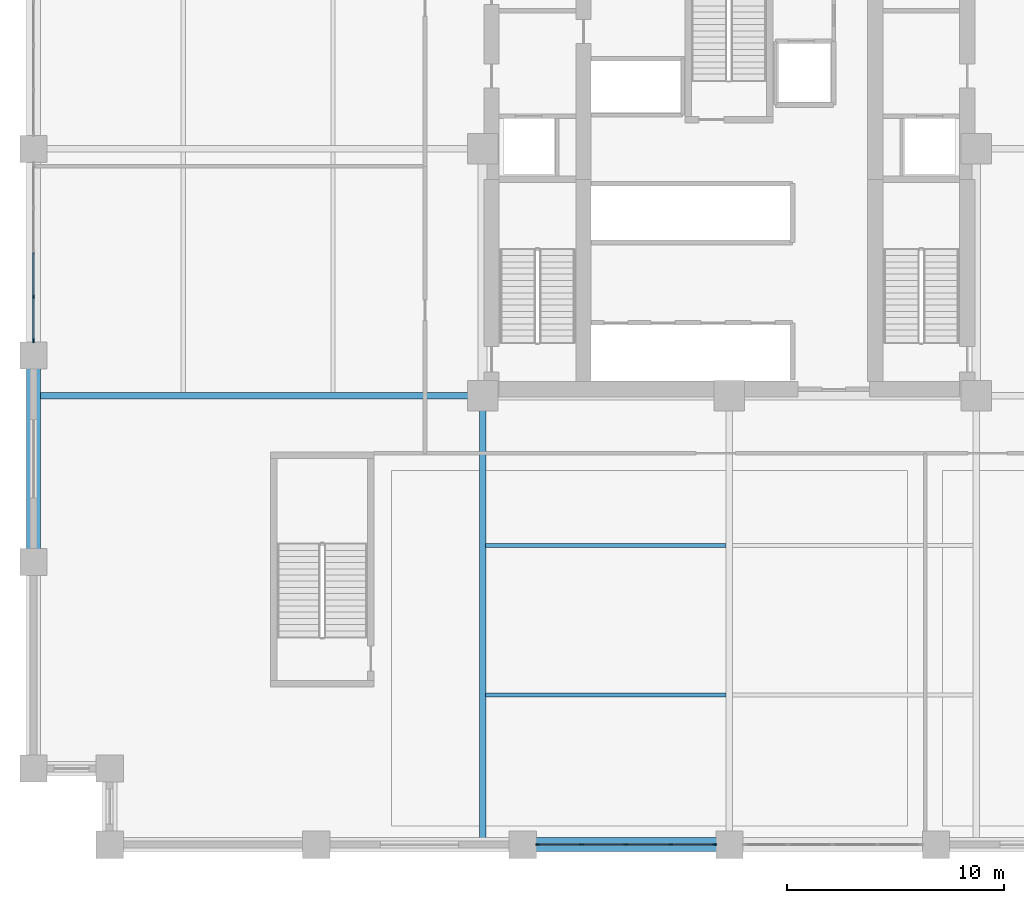
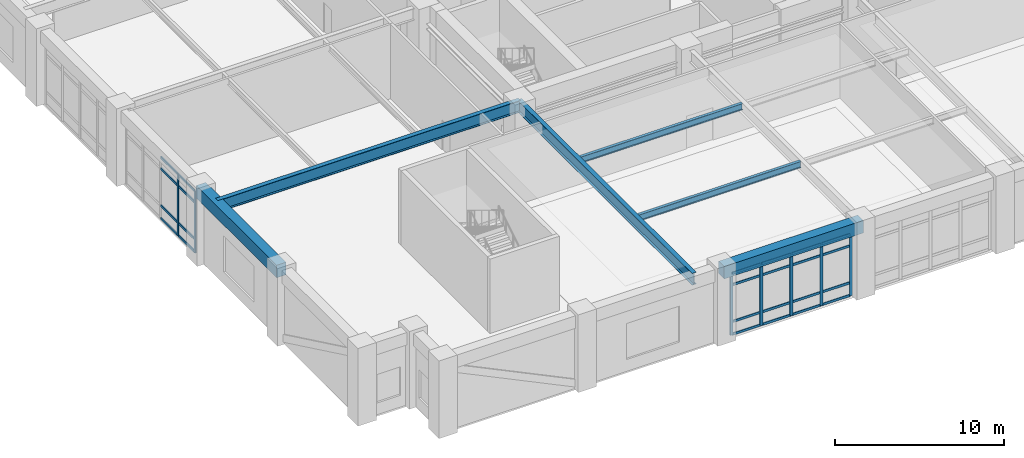
# One storey, part 2 of 21: 31 members, 6 beams, 2 elements without a shape of their own.
"""IFC4 building model written with IfcOpenShell, lengths in metres."""

from ifc_helpers import new_model, si_unit, direction, frame, origin, origin_2d, place, context, subcontext, project, spatial, rectangle, i_section, extrude, material, layer, layer_set, material_profile, profile_set, type_object, element, aggregate, save


model = new_model("IFC4")

# Units and contexts
model_context = context("Model", 3, precision=1e-05, world=origin(), true_north=direction((0.0, 1.0)))
body_context = subcontext(model_context, "Body", "Model", "MODEL_VIEW")
ifc_project = project(units=[si_unit("LENGTHUNIT", "METRE"), si_unit("AREAUNIT", "SQUARE_METRE"), si_unit("VOLUMEUNIT", "CUBIC_METRE"), si_unit("PLANEANGLEUNIT", "RADIAN"), si_unit("MASSUNIT", "GRAM", prefix="KILO")], contexts=[model_context])

# Site, building, storey
site_placement = place(None, origin())
site = spatial("IfcSite", under=ifc_project, at=site_placement, CompositionType="ELEMENT")
building_placement = place(site_placement, origin())
building = spatial("IfcBuilding", under=site, at=building_placement, Name="Nhamokura Convention Tower", CompositionType="ELEMENT")
storey_placement = place(building_placement, frame((0.0, 0.0, 12.25)))
storey = spatial("IfcBuildingStorey", under=building, at=storey_placement, Name="L02", CompositionType="ELEMENT", Elevation=12.25)

# Curtain wall, members
ifc_material_1 = material(Name="Anodised bronze aluminium AA6063-T6", Category="aluminium")
ifc_layer = layer(ifc_material_1, 0.199951171875)
ifc_layer_set = layer_set([ifc_layer], Name="CWSystem_ConventionFoyer")
curtain_wall_type = type_object("IfcCurtainWallType", Name="CWSystem_ConventionFoyer", PredefinedType="NOTDEFINED", material=ifc_layer_set)
curtain_wall_1_placement = place(storey_placement, origin())
curtain_wall_1 = element("IfcCurtainWall", 1, at=curtain_wall_1_placement, inside=storey, type_object=curtain_wall_type, Name="L02 Curtain Wall ENV-L02-CW-S2", PredefinedType="NOTDEFINED")
ifc_material_2 = material(Name="Anodised bronze aluminium AA6063-T6", Category="aluminium")
ifc_material_profile_1 = material_profile(ifc_material_2, rectangle(XDim=0.074951171875, YDim=0.199951171875, at=origin_2d()))
ifc_profile_set_1 = profile_set([ifc_material_profile_1], Name="Anodised bronze aluminium AA6063-T6")
member_type_1 = type_object("IfcMemberType", Name="CWMullion_2", PredefinedType="MULLION", material=ifc_profile_set_1)
member_1_placement = place(storey_placement, frame((31.3125, 0.0, 0.0), z_axis=(0.0, 0.0, 1.0), x_axis=(0.0, -1.0, 0.0)))
member_1 = element("IfcMember", 2, at=member_1_placement, type_object=member_type_1, Name="CW-02 mullion 1", PredefinedType="MULLION", context=body_context, shape_type="SweptSolid", body=[
    extrude(rectangle(XDim=0.074951171875, YDim=0.199951171875, at=origin_2d()), origin(), (0.0, 0.0, 1.0), 4.4599609375),
])
member_2_placement = place(storey_placement, frame((29.300048828125, 0.0, 0.0), z_axis=(0.0, 0.0, 1.0), x_axis=(0.0, -1.0, 0.0)))
member_2 = element("IfcMember", 3, at=member_2_placement, type_object=member_type_1, Name="CW-02 mullion 2", PredefinedType="MULLION", context=body_context, shape_type="SweptSolid", body=[
    extrude(rectangle(XDim=0.074951171875, YDim=0.199951171875, at=origin_2d()), origin(), (0.0, 0.0, 1.0), 4.4599609375),
])
member_3_placement = place(storey_placement, frame((27.25, 0.0, 0.0), z_axis=(0.0, 0.0, 1.0), x_axis=(0.0, -1.0, 0.0)))
member_3 = element("IfcMember", 4, at=member_3_placement, type_object=member_type_1, Name="CW-02 mullion 3", PredefinedType="MULLION", context=body_context, shape_type="SweptSolid", body=[
    extrude(rectangle(XDim=0.074951171875, YDim=0.199951171875, at=origin_2d()), origin(), (0.0, 0.0, 1.0), 4.4599609375),
])
member_4_placement = place(storey_placement, frame((25.199951171875, 0.0, 0.0), z_axis=(0.0, 0.0, 1.0), x_axis=(0.0, -1.0, 0.0)))
member_4 = element("IfcMember", 5, at=member_4_placement, type_object=member_type_1, Name="CW-02 mullion 4", PredefinedType="MULLION", context=body_context, shape_type="SweptSolid", body=[
    extrude(rectangle(XDim=0.074951171875, YDim=0.199951171875, at=origin_2d()), origin(), (0.0, 0.0, 1.0), 4.4599609375),
])
member_5_placement = place(storey_placement, frame((23.1875, 0.0, 0.0), z_axis=(0.0, 0.0, 1.0), x_axis=(0.0, -1.0, 0.0)))
member_5 = element("IfcMember", 6, at=member_5_placement, type_object=member_type_1, Name="CW-02 mullion 5", PredefinedType="MULLION", context=body_context, shape_type="SweptSolid", body=[
    extrude(rectangle(XDim=0.074951171875, YDim=0.199951171875, at=origin_2d()), origin(), (0.0, 0.0, 1.0), 4.4599609375),
])

curtain_wall_2_placement = place(storey_placement, origin())
curtain_wall_2 = element("IfcCurtainWall", 7, at=curtain_wall_2_placement, inside=storey, type_object=curtain_wall_type, Name="L02 Curtain Wall ENV-L02-CW-W2", PredefinedType="NOTDEFINED")
member_6_placement = place(storey_placement, frame((0.0, 23.1875, 0.0), z_axis=(0.0, 0.0, 1.0), x_axis=(-1.0, 0.0, 0.0)))
member_6 = element("IfcMember", 8, at=member_6_placement, type_object=member_type_1, Name="CW-02 mullion 1", PredefinedType="MULLION", context=body_context, shape_type="SweptSolid", body=[
    extrude(rectangle(XDim=0.074951171875, YDim=0.199951171875, at=origin_2d()), origin(), (0.0, 0.0, 1.0), 4.4599609375),
])
member_7_placement = place(storey_placement, frame((0.0, 25.199951171875, 0.0), z_axis=(0.0, 0.0, 1.0), x_axis=(-1.0, 0.0, 0.0)))
member_7 = element("IfcMember", 9, at=member_7_placement, type_object=member_type_1, Name="CW-02 mullion 2", PredefinedType="MULLION", context=body_context, shape_type="SweptSolid", body=[
    extrude(rectangle(XDim=0.074951171875, YDim=0.199951171875, at=origin_2d()), origin(), (0.0, 0.0, 1.0), 4.4599609375),
])

# Member
ifc_material_3 = material(Name="Anodised bronze aluminium AA6063-T6", Category="aluminium")
ifc_material_profile_2 = material_profile(ifc_material_3, rectangle(XDim=0.074951171875, YDim=0.169921875, at=origin_2d()))
ifc_profile_set_2 = profile_set([ifc_material_profile_2], Name="Anodised bronze aluminium AA6063-T6")
member_type_2 = type_object("IfcMemberType", Name="CWTransom_2", PredefinedType="USERDEFINED", material=ifc_profile_set_2)
member_8_placement = place(storey_placement, frame((31.27490234375, 0.0, 0.03759765625), z_axis=(-1.0, 0.0, 0.0), x_axis=(0.0, -1.0, 0.0)))
member_8 = element("IfcMember", 10, at=member_8_placement, type_object=member_type_2, Name="CW-02 transom 1.1", ObjectType="TRANSOM", PredefinedType="USERDEFINED", context=body_context, shape_type="SweptSolid", body=[
    extrude(rectangle(XDim=0.074951171875, YDim=0.169921875, at=origin_2d()), origin(), (0.0, 0.0, 1.0), 1.9375),
])

member_9_placement = place(storey_placement, frame((31.27490234375, 0.0, 0.949951171875), z_axis=(-1.0, 0.0, 0.0), x_axis=(0.0, -1.0, 0.0)))
member_9 = element("IfcMember", 11, at=member_9_placement, type_object=member_type_2, Name="CW-02 transom 1.2", ObjectType="TRANSOM", PredefinedType="USERDEFINED", context=body_context, shape_type="SweptSolid", body=[
    extrude(rectangle(XDim=0.074951171875, YDim=0.169921875, at=origin_2d()), origin(), (0.0, 0.0, 1.0), 1.9375),
])

member_10_placement = place(storey_placement, frame((31.27490234375, 0.0, 3.610107421875), z_axis=(-1.0, 0.0, 0.0), x_axis=(0.0, -1.0, 0.0)))
member_10 = element("IfcMember", 12, at=member_10_placement, type_object=member_type_2, Name="CW-02 transom 1.3", ObjectType="TRANSOM", PredefinedType="USERDEFINED", context=body_context, shape_type="SweptSolid", body=[
    extrude(rectangle(XDim=0.074951171875, YDim=0.169921875, at=origin_2d()), origin(), (0.0, 0.0, 1.0), 1.9375),
])

member_11_placement = place(storey_placement, frame((31.27490234375, 0.0, 4.422607421875), z_axis=(-1.0, 0.0, 0.0), x_axis=(0.0, -1.0, 0.0)))
member_11 = element("IfcMember", 13, at=member_11_placement, type_object=member_type_2, Name="CW-02 transom 1.4", ObjectType="TRANSOM", PredefinedType="USERDEFINED", context=body_context, shape_type="SweptSolid", body=[
    extrude(rectangle(XDim=0.074951171875, YDim=0.169921875, at=origin_2d()), origin(), (0.0, 0.0, 1.0), 1.9375),
])

member_12_placement = place(storey_placement, frame((29.262451171875, 0.0, 0.03759765625), z_axis=(-1.0, 0.0, 0.0), x_axis=(0.0, -1.0, 0.0)))
member_12 = element("IfcMember", 14, at=member_12_placement, type_object=member_type_2, Name="CW-02 transom 2.1", ObjectType="TRANSOM", PredefinedType="USERDEFINED", context=body_context, shape_type="SweptSolid", body=[
    extrude(rectangle(XDim=0.074951171875, YDim=0.169921875, at=origin_2d()), origin(), (0.0, 0.0, 1.0), 1.974853515625),
])

member_13_placement = place(storey_placement, frame((29.262451171875, 0.0, 0.949951171875), z_axis=(-1.0, 0.0, 0.0), x_axis=(0.0, -1.0, 0.0)))
member_13 = element("IfcMember", 15, at=member_13_placement, type_object=member_type_2, Name="CW-02 transom 2.2", ObjectType="TRANSOM", PredefinedType="USERDEFINED", context=body_context, shape_type="SweptSolid", body=[
    extrude(rectangle(XDim=0.074951171875, YDim=0.169921875, at=origin_2d()), origin(), (0.0, 0.0, 1.0), 1.974853515625),
])

member_14_placement = place(storey_placement, frame((29.262451171875, 0.0, 3.610107421875), z_axis=(-1.0, 0.0, 0.0), x_axis=(0.0, -1.0, 0.0)))
member_14 = element("IfcMember", 16, at=member_14_placement, type_object=member_type_2, Name="CW-02 transom 2.3", ObjectType="TRANSOM", PredefinedType="USERDEFINED", context=body_context, shape_type="SweptSolid", body=[
    extrude(rectangle(XDim=0.074951171875, YDim=0.169921875, at=origin_2d()), origin(), (0.0, 0.0, 1.0), 1.974853515625),
])

member_15_placement = place(storey_placement, frame((29.262451171875, 0.0, 4.422607421875), z_axis=(-1.0, 0.0, 0.0), x_axis=(0.0, -1.0, 0.0)))
member_15 = element("IfcMember", 17, at=member_15_placement, type_object=member_type_2, Name="CW-02 transom 2.4", ObjectType="TRANSOM", PredefinedType="USERDEFINED", context=body_context, shape_type="SweptSolid", body=[
    extrude(rectangle(XDim=0.074951171875, YDim=0.169921875, at=origin_2d()), origin(), (0.0, 0.0, 1.0), 1.974853515625),
])

member_16_placement = place(storey_placement, frame((27.21240234375, 0.0, 0.03759765625), z_axis=(-1.0, 0.0, 0.0), x_axis=(0.0, -1.0, 0.0)))
member_16 = element("IfcMember", 18, at=member_16_placement, type_object=member_type_2, Name="CW-02 transom 3.1", ObjectType="TRANSOM", PredefinedType="USERDEFINED", context=body_context, shape_type="SweptSolid", body=[
    extrude(rectangle(XDim=0.074951171875, YDim=0.169921875, at=origin_2d()), origin(), (0.0, 0.0, 1.0), 1.974853515625),
])

member_17_placement = place(storey_placement, frame((27.21240234375, 0.0, 0.949951171875), z_axis=(-1.0, 0.0, 0.0), x_axis=(0.0, -1.0, 0.0)))
member_17 = element("IfcMember", 19, at=member_17_placement, type_object=member_type_2, Name="CW-02 transom 3.2", ObjectType="TRANSOM", PredefinedType="USERDEFINED", context=body_context, shape_type="SweptSolid", body=[
    extrude(rectangle(XDim=0.074951171875, YDim=0.169921875, at=origin_2d()), origin(), (0.0, 0.0, 1.0), 1.974853515625),
])

member_18_placement = place(storey_placement, frame((27.21240234375, 0.0, 3.610107421875), z_axis=(-1.0, 0.0, 0.0), x_axis=(0.0, -1.0, 0.0)))
member_18 = element("IfcMember", 20, at=member_18_placement, type_object=member_type_2, Name="CW-02 transom 3.3", ObjectType="TRANSOM", PredefinedType="USERDEFINED", context=body_context, shape_type="SweptSolid", body=[
    extrude(rectangle(XDim=0.074951171875, YDim=0.169921875, at=origin_2d()), origin(), (0.0, 0.0, 1.0), 1.974853515625),
])

member_19_placement = place(storey_placement, frame((27.21240234375, 0.0, 4.422607421875), z_axis=(-1.0, 0.0, 0.0), x_axis=(0.0, -1.0, 0.0)))
member_19 = element("IfcMember", 21, at=member_19_placement, type_object=member_type_2, Name="CW-02 transom 3.4", ObjectType="TRANSOM", PredefinedType="USERDEFINED", context=body_context, shape_type="SweptSolid", body=[
    extrude(rectangle(XDim=0.074951171875, YDim=0.169921875, at=origin_2d()), origin(), (0.0, 0.0, 1.0), 1.974853515625),
])

member_20_placement = place(storey_placement, frame((25.16259765625, 0.0, 0.03759765625), z_axis=(-1.0, 0.0, 0.0), x_axis=(0.0, -1.0, 0.0)))
member_20 = element("IfcMember", 22, at=member_20_placement, type_object=member_type_2, Name="CW-02 transom 4.1", ObjectType="TRANSOM", PredefinedType="USERDEFINED", context=body_context, shape_type="SweptSolid", body=[
    extrude(rectangle(XDim=0.074951171875, YDim=0.169921875, at=origin_2d()), origin(), (0.0, 0.0, 1.0), 1.9375),
])

member_21_placement = place(storey_placement, frame((25.16259765625, 0.0, 0.949951171875), z_axis=(-1.0, 0.0, 0.0), x_axis=(0.0, -1.0, 0.0)))
member_21 = element("IfcMember", 23, at=member_21_placement, type_object=member_type_2, Name="CW-02 transom 4.2", ObjectType="TRANSOM", PredefinedType="USERDEFINED", context=body_context, shape_type="SweptSolid", body=[
    extrude(rectangle(XDim=0.074951171875, YDim=0.169921875, at=origin_2d()), origin(), (0.0, 0.0, 1.0), 1.9375),
])

member_22_placement = place(storey_placement, frame((25.16259765625, 0.0, 3.610107421875), z_axis=(-1.0, 0.0, 0.0), x_axis=(0.0, -1.0, 0.0)))
member_22 = element("IfcMember", 24, at=member_22_placement, type_object=member_type_2, Name="CW-02 transom 4.3", ObjectType="TRANSOM", PredefinedType="USERDEFINED", context=body_context, shape_type="SweptSolid", body=[
    extrude(rectangle(XDim=0.074951171875, YDim=0.169921875, at=origin_2d()), origin(), (0.0, 0.0, 1.0), 1.9375),
])

member_23_placement = place(storey_placement, frame((25.16259765625, 0.0, 4.422607421875), z_axis=(-1.0, 0.0, 0.0), x_axis=(0.0, -1.0, 0.0)))
member_23 = element("IfcMember", 25, at=member_23_placement, type_object=member_type_2, Name="CW-02 transom 4.4", ObjectType="TRANSOM", PredefinedType="USERDEFINED", context=body_context, shape_type="SweptSolid", body=[
    extrude(rectangle(XDim=0.074951171875, YDim=0.169921875, at=origin_2d()), origin(), (0.0, 0.0, 1.0), 1.9375),
])

aggregate(curtain_wall_1, [member_1, member_2, member_3, member_4, member_5, member_8, member_9, member_10, member_11, member_12, member_13, member_14, member_15, member_16, member_17, member_18, member_19, member_20, member_21, member_22, member_23])

member_24_placement = place(storey_placement, frame((0.0, 23.22509765625, 0.03759765625), z_axis=(0.0, 1.0, 0.0), x_axis=(-1.0, 0.0, 0.0)))
member_24 = element("IfcMember", 26, at=member_24_placement, type_object=member_type_2, Name="CW-02 transom 1.1", ObjectType="TRANSOM", PredefinedType="USERDEFINED", context=body_context, shape_type="SweptSolid", body=[
    extrude(rectangle(XDim=0.074951171875, YDim=0.169921875, at=origin_2d()), origin(), (0.0, 0.0, 1.0), 1.9375),
])

member_25_placement = place(storey_placement, frame((0.0, 23.22509765625, 0.949951171875), z_axis=(0.0, 1.0, 0.0), x_axis=(-1.0, 0.0, 0.0)))
member_25 = element("IfcMember", 27, at=member_25_placement, type_object=member_type_2, Name="CW-02 transom 1.2", ObjectType="TRANSOM", PredefinedType="USERDEFINED", context=body_context, shape_type="SweptSolid", body=[
    extrude(rectangle(XDim=0.074951171875, YDim=0.169921875, at=origin_2d()), origin(), (0.0, 0.0, 1.0), 1.9375),
])

member_26_placement = place(storey_placement, frame((0.0, 23.22509765625, 3.610107421875), z_axis=(0.0, 1.0, 0.0), x_axis=(-1.0, 0.0, 0.0)))
member_26 = element("IfcMember", 28, at=member_26_placement, type_object=member_type_2, Name="CW-02 transom 1.3", ObjectType="TRANSOM", PredefinedType="USERDEFINED", context=body_context, shape_type="SweptSolid", body=[
    extrude(rectangle(XDim=0.074951171875, YDim=0.169921875, at=origin_2d()), origin(), (0.0, 0.0, 1.0), 1.9375),
])

member_27_placement = place(storey_placement, frame((0.0, 23.22509765625, 4.422607421875), z_axis=(0.0, 1.0, 0.0), x_axis=(-1.0, 0.0, 0.0)))
member_27 = element("IfcMember", 29, at=member_27_placement, type_object=member_type_2, Name="CW-02 transom 1.4", ObjectType="TRANSOM", PredefinedType="USERDEFINED", context=body_context, shape_type="SweptSolid", body=[
    extrude(rectangle(XDim=0.074951171875, YDim=0.169921875, at=origin_2d()), origin(), (0.0, 0.0, 1.0), 1.9375),
])

member_28_placement = place(storey_placement, frame((0.0, 25.237548828125, 0.03759765625), z_axis=(0.0, 1.0, 0.0), x_axis=(-1.0, 0.0, 0.0)))
member_28 = element("IfcMember", 30, at=member_28_placement, type_object=member_type_2, Name="CW-02 transom 2.1", ObjectType="TRANSOM", PredefinedType="USERDEFINED", context=body_context, shape_type="SweptSolid", body=[
    extrude(rectangle(XDim=0.074951171875, YDim=0.169921875, at=origin_2d()), origin(), (0.0, 0.0, 1.0), 1.974853515625),
])

member_29_placement = place(storey_placement, frame((0.0, 25.237548828125, 0.949951171875), z_axis=(0.0, 1.0, 0.0), x_axis=(-1.0, 0.0, 0.0)))
member_29 = element("IfcMember", 31, at=member_29_placement, type_object=member_type_2, Name="CW-02 transom 2.2", ObjectType="TRANSOM", PredefinedType="USERDEFINED", context=body_context, shape_type="SweptSolid", body=[
    extrude(rectangle(XDim=0.074951171875, YDim=0.169921875, at=origin_2d()), origin(), (0.0, 0.0, 1.0), 1.974853515625),
])

member_30_placement = place(storey_placement, frame((0.0, 25.237548828125, 3.610107421875), z_axis=(0.0, 1.0, 0.0), x_axis=(-1.0, 0.0, 0.0)))
member_30 = element("IfcMember", 32, at=member_30_placement, type_object=member_type_2, Name="CW-02 transom 2.3", ObjectType="TRANSOM", PredefinedType="USERDEFINED", context=body_context, shape_type="SweptSolid", body=[
    extrude(rectangle(XDim=0.074951171875, YDim=0.169921875, at=origin_2d()), origin(), (0.0, 0.0, 1.0), 1.974853515625),
])

member_31_placement = place(storey_placement, frame((0.0, 25.237548828125, 4.422607421875), z_axis=(0.0, 1.0, 0.0), x_axis=(-1.0, 0.0, 0.0)))
member_31 = element("IfcMember", 33, at=member_31_placement, type_object=member_type_2, Name="CW-02 transom 2.4", ObjectType="TRANSOM", PredefinedType="USERDEFINED", context=body_context, shape_type="SweptSolid", body=[
    extrude(rectangle(XDim=0.074951171875, YDim=0.169921875, at=origin_2d()), origin(), (0.0, 0.0, 1.0), 1.974853515625),
])

aggregate(curtain_wall_2, [member_6, member_7, member_24, member_25, member_26, member_27, member_28, member_29, member_30, member_31])

# Beams
ifc_material_4 = material(Name="Steel ASTM A992 Gr 50", Category="steel")
ifc_material_profile_3 = material_profile(ifc_material_4, i_section(OverallWidth=0.19189453125, OverallDepth=0.462890625, WebThickness=0.010498046875, FlangeThickness=0.017578125, at=origin_2d()))
ifc_profile_set_3 = profile_set([ifc_material_profile_3], Name="Steel ASTM A992 Gr 50")
beam_type_1 = type_object("IfcBeamType", Name="FloorJoist_W460X89", PredefinedType="JOIST", material=ifc_profile_set_3)
for number, where, z_axis, x_axis, name in (
    (34, (20.794921875, 6.88330078125, 5.12841796875), (1.0, 0.0, 0.0), (0.0, 1.0, 0.0), "L02 Composite Floor Joist S1A"),
    (35, (20.794921875, 13.7666015625, 5.12841796875), (1.0, 0.0, 0.0), (0.0, 1.0, 0.0), "L02 Composite Floor Joist S2A"),
):
    element("IfcBeam", number, at=place(storey_placement, frame(where, z_axis=z_axis, x_axis=x_axis)), inside=storey, type_object=beam_type_1, Name=name, PredefinedType="JOIST", context=body_context, shape_type="SweptSolid", body=[
        extrude(i_section(OverallWidth=0.19189453125, OverallDepth=0.462890625, WebThickness=0.010498046875, FlangeThickness=0.017578125, at=origin_2d()), origin(), (0.0, 0.0, 1.0), 11.06005859375),
    ])
ifc_material_5 = material(Name="Steel ASTM A992 Gr 50", Category="steel")
ifc_material_profile_4 = material_profile(ifc_material_5, i_section(OverallWidth=0.2939453125, OverallDepth=0.85107421875, WebThickness=0.01611328125, FlangeThickness=0.02685546875, at=origin_2d()))
ifc_profile_set_4 = profile_set([ifc_material_profile_4], Name="Steel ASTM A992 Gr 50")
beam_type_2 = type_object("IfcBeamType", Name="HallGirder_W840X226", PredefinedType="BEAM", material=ifc_profile_set_4)
for number, where, z_axis, x_axis, name in (
    (36, (20.64990234375, 0.0, 4.9345703125), (0.0, 1.0, 0.0), (-1.0, 0.0, 0.0), "L02 Primary Floor Girder PG-S1"),
    (37, (0.0, 20.64990234375, 4.9345703125), (1.0, 0.0, 0.0), (0.0, 1.0, 0.0), "L02 Primary Floor Girder PG-W1"),
):
    element("IfcBeam", number, at=place(storey_placement, frame(where, z_axis=z_axis, x_axis=x_axis)), inside=storey, type_object=beam_type_2, Name=name, PredefinedType="BEAM", context=body_context, shape_type="SweptSolid", body=[
        extrude(i_section(OverallWidth=0.2939453125, OverallDepth=0.85107421875, WebThickness=0.01611328125, FlangeThickness=0.02685546875, at=origin_2d()), origin(), (0.0, 0.0, 1.0), 20.64990234375),
    ])
ifc_material_6 = material(Name="Concrete C60/75", Category="concrete")
ifc_material_profile_5 = material_profile(ifc_material_6, rectangle(XDim=0.64990234375, YDim=0.89990234375, at=origin_2d()))
ifc_profile_set_5 = profile_set([ifc_material_profile_5], Name="Concrete C60/75")
beam_type_3 = type_object("IfcBeamType", Name="TubeSpandrel_900", PredefinedType="SPANDREL", material=ifc_profile_set_5)
for number, where, z_axis, x_axis, name in (
    (38, (22.5, 0.0, 4.909912109375), (1.0, 0.0, 0.0), (0.0, 1.0, 0.0), "L02 Perimeter Spandrel SOUTH 3"),
    (39, (0.0, 13.0, 4.909912109375), (0.0, 1.0, 0.0), (-1.0, 0.0, 0.0), "L02 Perimeter Spandrel WEST 2"),
):
    element("IfcBeam", number, at=place(storey_placement, frame(where, z_axis=z_axis, x_axis=x_axis)), inside=storey, type_object=beam_type_3, Name=name, PredefinedType="SPANDREL", context=body_context, shape_type="SweptSolid", body=[
        extrude(rectangle(XDim=0.64990234375, YDim=0.89990234375, at=origin_2d()), origin(), (0.0, 0.0, 1.0), 9.5),
    ])

save(model, "model.ifc")
